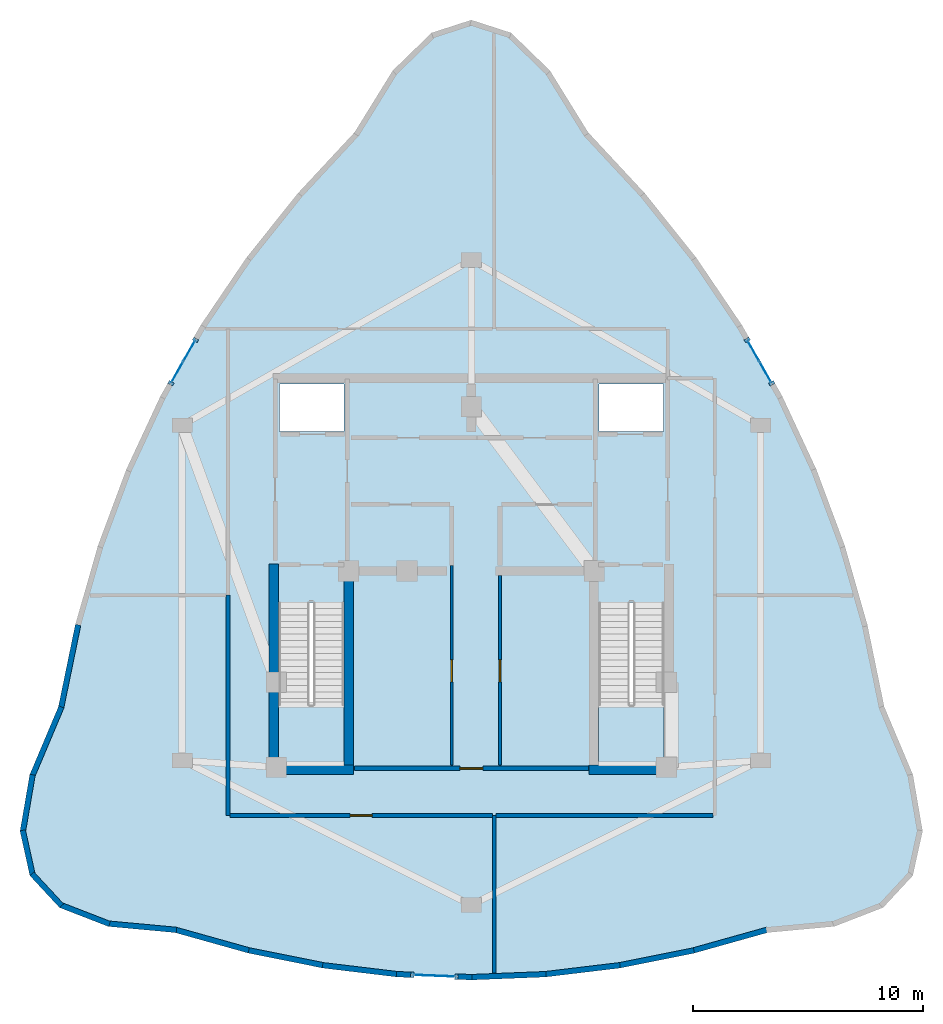
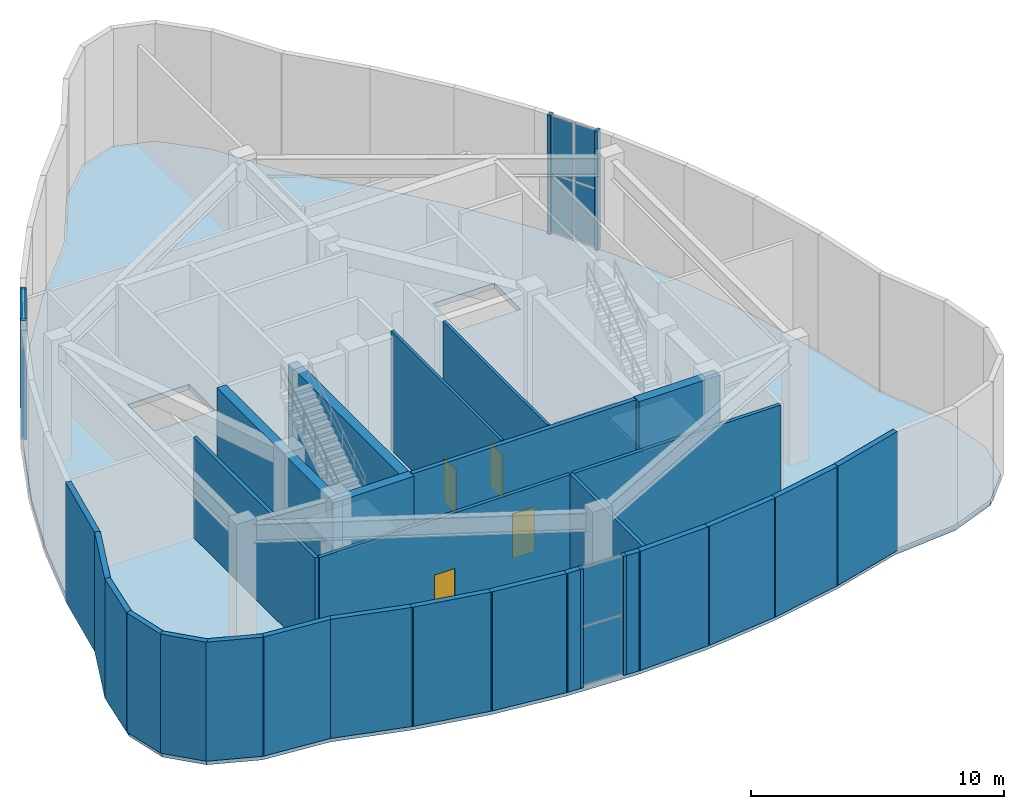
# One storey, part 7 of 10: 27 walls, 16 plates, 4 doors, 3 slabs, 4 openings, 5 elements without a shape of their own.
"""IFC4 building model written with IfcOpenShell, lengths in metres."""

from ifc_helpers import new_model, si_unit, direction, frame, frame_2d, origin, origin_2d, place, context, subcontext, project, spatial, polyline, rectangle, outline, extrude, material, layer, layer_set, type_object, element, fill, aggregate, save


model = new_model("IFC4")

# Units and contexts
model_context = context("Model", 3, precision=1e-05, world=origin(), true_north=direction((0.0, 1.0)))
body_context = subcontext(model_context, "Body", "Model", "MODEL_VIEW")
ifc_project = project(units=[si_unit("LENGTHUNIT", "METRE"), si_unit("AREAUNIT", "SQUARE_METRE"), si_unit("VOLUMEUNIT", "CUBIC_METRE"), si_unit("PLANEANGLEUNIT", "RADIAN"), si_unit("MASSUNIT", "GRAM", prefix="KILO")], contexts=[model_context])

# Site, building, storey
site_placement = place(None, origin())
site = spatial("IfcSite", under=ifc_project, at=site_placement, CompositionType="ELEMENT")
building_placement = place(site_placement, origin())
building = spatial("IfcBuilding", under=site, at=building_placement, Name="Miruveldt Soraemaru", CompositionType="ELEMENT")
storey_placement = place(building_placement, frame((0.0, 0.0, 306.800048828125)))
storey = spatial("IfcBuildingStorey", under=building, at=storey_placement, Name="L81", CompositionType="ELEMENT", Elevation=306.800048828125)

# Curtain wall, plates
ifc_material_1 = material(Name="Anodised aluminium EN AW-6063 T6", Category="aluminium")
ifc_layer_1 = layer(ifc_material_1, 0.14990234375, Name="Anodised aluminium EN AW-6063 T6", Category="aluminium")
ifc_layer_set_1 = layer_set([ifc_layer_1], Name="Anodised aluminium EN AW-6063 T6")
curtain_wall_type = type_object("IfcCurtainWallType", Name="CW-SYS-6", PredefinedType="USERDEFINED", material=ifc_layer_set_1)
curtain_wall_1_placement = place(storey_placement, origin())
curtain_wall_1 = element("IfcCurtainWall", 1, at=curtain_wall_1_placement, inside=storey, type_object=curtain_wall_type, Name="L81 Curtain Wall Bay 10", ObjectType="UNITISED GLAZING", PredefinedType="USERDEFINED")
ifc_material_2 = material(Name="Triple low-e insulated glazing", Category="glass")
ifc_layer_2 = layer(ifc_material_2, 0.02392578125, Name="Triple low-e insulated glazing", Category="glass")
ifc_layer_set_2 = layer_set([ifc_layer_2], Name="Triple low-e insulated glazing")
plate_type_1 = type_object("IfcPlateType", Name="CWP-6", PredefinedType="CURTAIN_PANEL", material=ifc_layer_set_2)
plate_1_placement = place(storey_placement, frame((31.70947265625, 53.63232421875, 0.054931640625), z_axis=(0.0, 0.0, 1.0), x_axis=(-0.493367166554, -0.869821153437, 0.0)))
plate_1 = element("IfcPlate", 2, at=plate_1_placement, type_object=plate_type_1, Name="CW-6 panel 1.1", PredefinedType="CURTAIN_PANEL", context=body_context, shape_type="SweptSolid", body=[
    extrude(rectangle(XDim=1.00244140625, YDim=0.02392578125, at=origin_2d()), origin(), (0.0, 0.0, 1.0), 2.78759765625),
])
plate_2_placement = place(storey_placement, frame((31.70947265625, 53.63232421875, 2.8974609375), z_axis=(0.0, 0.0, 1.0), x_axis=(-0.493367166554, -0.869821153437, 0.0)))
plate_2 = element("IfcPlate", 3, at=plate_2_placement, type_object=plate_type_1, Name="CW-6 panel 1.2", PredefinedType="CURTAIN_PANEL", context=body_context, shape_type="SweptSolid", body=[
    extrude(rectangle(XDim=1.00244140625, YDim=0.02392578125, at=origin_2d()), origin(), (0.0, 0.0, 1.0), 2.78759765625),
])
plate_3_placement = place(storey_placement, frame((31.187744140625, 52.712646484375, 0.054931640625), z_axis=(0.0, 0.0, 1.0), x_axis=(-0.493367166554, -0.869821153437, 0.0)))
plate_3 = element("IfcPlate", 4, at=plate_3_placement, type_object=plate_type_1, Name="CW-6 panel 2.1", PredefinedType="CURTAIN_PANEL", context=body_context, shape_type="SweptSolid", body=[
    extrude(rectangle(XDim=1.00244140625, YDim=0.02392578125, at=origin_2d()), origin(), (0.0, 0.0, 1.0), 2.78759765625),
])
plate_4_placement = place(storey_placement, frame((31.187744140625, 52.712646484375, 2.8974609375), z_axis=(0.0, 0.0, 1.0), x_axis=(-0.493367166554, -0.869821153437, 0.0)))
plate_4 = element("IfcPlate", 5, at=plate_4_placement, type_object=plate_type_1, Name="CW-6 panel 2.2", PredefinedType="CURTAIN_PANEL", context=body_context, shape_type="SweptSolid", body=[
    extrude(rectangle(XDim=1.00244140625, YDim=0.02392578125, at=origin_2d()), origin(), (0.0, 0.0, 1.0), 2.78759765625),
])
aggregate(curtain_wall_1, [plate_1, plate_2, plate_3, plate_4])

curtain_wall_2_placement = place(storey_placement, origin())
curtain_wall_2 = element("IfcCurtainWall", 6, at=curtain_wall_2_placement, inside=storey, type_object=curtain_wall_type, Name="L81 Curtain Wall Bay 24", ObjectType="UNITISED GLAZING", PredefinedType="USERDEFINED")
plate_5_placement = place(storey_placement, frame((42.389892578125, 26.41943359375, 0.054931640625), z_axis=(0.0, 0.0, 1.0), x_axis=(0.999202121324, -0.039938962692, 0.0)))
plate_5 = element("IfcPlate", 7, at=plate_5_placement, type_object=plate_type_1, Name="CW-6 panel 1.1", PredefinedType="CURTAIN_PANEL", context=body_context, shape_type="SweptSolid", body=[
    extrude(rectangle(XDim=1.81298828125, YDim=0.02392578125, at=origin_2d()), origin(), (0.0, 0.0, 1.0), 2.78759765625),
])
plate_6_placement = place(storey_placement, frame((42.389892578125, 26.41943359375, 2.8974609375), z_axis=(0.0, 0.0, 1.0), x_axis=(0.999202121324, -0.039938962692, 0.0)))
plate_6 = element("IfcPlate", 8, at=plate_6_placement, type_object=plate_type_1, Name="CW-6 panel 1.2", PredefinedType="CURTAIN_PANEL", context=body_context, shape_type="SweptSolid", body=[
    extrude(rectangle(XDim=1.81298828125, YDim=0.02392578125, at=origin_2d()), origin(), (0.0, 0.0, 1.0), 2.78759765625),
])
aggregate(curtain_wall_2, [plate_5, plate_6])

curtain_wall_3_placement = place(storey_placement, origin())
curtain_wall_3 = element("IfcCurtainWall", 9, at=curtain_wall_3_placement, inside=storey, type_object=curtain_wall_type, Name="L81 Curtain Wall Bay 39", ObjectType="UNITISED GLAZING", PredefinedType="USERDEFINED")
plate_7_placement = place(storey_placement, frame((56.812744140625, 52.7119140625, 0.054931640625), z_axis=(0.0, 0.0, 1.0), x_axis=(-0.493363512652, 0.869823225939, 0.0)))
plate_7 = element("IfcPlate", 10, at=plate_7_placement, type_object=plate_type_1, Name="CW-6 panel 1.1", PredefinedType="CURTAIN_PANEL", context=body_context, shape_type="SweptSolid", body=[
    extrude(rectangle(XDim=1.0029296875, YDim=0.02392578125, at=origin_2d()), origin(), (0.0, 0.0, 1.0), 2.78759765625),
])
plate_8_placement = place(storey_placement, frame((56.812744140625, 52.7119140625, 2.8974609375), z_axis=(0.0, 0.0, 1.0), x_axis=(-0.493363512652, 0.869823225939, 0.0)))
plate_8 = element("IfcPlate", 11, at=plate_8_placement, type_object=plate_type_1, Name="CW-6 panel 1.2", PredefinedType="CURTAIN_PANEL", context=body_context, shape_type="SweptSolid", body=[
    extrude(rectangle(XDim=1.0029296875, YDim=0.02392578125, at=origin_2d()), origin(), (0.0, 0.0, 1.0), 2.78759765625),
])
plate_9_placement = place(storey_placement, frame((56.290771484375, 53.63232421875, 0.054931640625), z_axis=(0.0, 0.0, 1.0), x_axis=(-0.493363512652, 0.869823225939, 0.0)))
plate_9 = element("IfcPlate", 12, at=plate_9_placement, type_object=plate_type_1, Name="CW-6 panel 2.1", PredefinedType="CURTAIN_PANEL", context=body_context, shape_type="SweptSolid", body=[
    extrude(rectangle(XDim=1.0029296875, YDim=0.02392578125, at=origin_2d()), origin(), (0.0, 0.0, 1.0), 2.78759765625),
])
plate_10_placement = place(storey_placement, frame((56.290771484375, 53.63232421875, 2.8974609375), z_axis=(0.0, 0.0, 1.0), x_axis=(-0.493363512652, 0.869823225939, 0.0)))
plate_10 = element("IfcPlate", 13, at=plate_10_placement, type_object=plate_type_1, Name="CW-6 panel 2.2", PredefinedType="CURTAIN_PANEL", context=body_context, shape_type="SweptSolid", body=[
    extrude(rectangle(XDim=1.0029296875, YDim=0.02392578125, at=origin_2d()), origin(), (0.0, 0.0, 1.0), 2.78759765625),
])
aggregate(curtain_wall_3, [plate_7, plate_8, plate_9, plate_10])

# Plates
ifc_layer_3 = layer(ifc_material_1, 0.030029296875, Name="Anodised aluminium EN AW-6063 T6", Category="aluminium")
ifc_layer_set_3 = layer_set([ifc_layer_3], Name="Anodised aluminium EN AW-6063 T6")
plate_type_2 = type_object("IfcPlateType", Name="PLT-JAMB-30", PredefinedType="SHEET", material=ifc_layer_set_3)
for number, where, z_axis, x_axis, name in (
    (14, (31.98388671875, 54.1162109375, 0.0), (0.0, 0.0, 1.0), (-0.493365087117, -0.869822332902, 0.0), "L81 Curtain Wall Jamb Closure Trim 10JL"),
    (15, (30.9130859375, 52.228759765625, 0.0), (0.0, 0.0, 1.0), (-0.493365087117, -0.869822332902, 0.0), "L81 Curtain Wall Jamb Closure Trim 10JR"),
    (16, (41.42919921875, 26.457763671875, 0.0), (0.0, 0.0, 1.0), (0.999201384215, -0.039957399602, 0.0), "L81 Curtain Wall Jamb Closure Trim 24JL"),
    (17, (43.3505859375, 26.381103515625, 0.0), (0.0, 0.0, 1.0), (0.999201384215, -0.039957399602, 0.0), "L81 Curtain Wall Jamb Closure Trim 24JR"),
    (18, (57.087158203125, 52.227783203125, 0.0), (0.0, 0.0, 1.0), (-0.493365087117, 0.869822332902, 0.0), "L81 Curtain Wall Jamb Closure Trim 39JL"),
    (19, (56.01611328125, 54.1162109375, 0.0), (0.0, 0.0, 1.0), (-0.493365087117, 0.869822332902, 0.0), "L81 Curtain Wall Jamb Closure Trim 39JR"),
):
    element("IfcPlate", number, at=place(storey_placement, frame(where, z_axis=z_axis, x_axis=x_axis)), inside=storey, type_object=plate_type_2, Name=name, PredefinedType="SHEET", context=body_context, shape_type="SweptSolid", body=[
        extrude(rectangle(XDim=0.139892578125, YDim=0.239990234375, at=origin_2d()), origin(), (0.0, 0.0, 1.0), 5.739990234375),
    ])

# Slab
ifc_material_3 = material(Name="Concrete C40/50 (40 MPa)", Category="concrete")
ifc_layer_4 = layer(ifc_material_3, 0.260009765625, Name="Concrete C40/50 (40 MPa)", Category="concrete")
ifc_layer_set_4 = layer_set([ifc_layer_4], Name="Concrete C40/50 (40 MPa)")
slab_type_1 = type_object("IfcSlabType", Name="SLAB-CRWN-260", PredefinedType="FLOOR", material=ifc_layer_set_4)
slab_1_placement = place(storey_placement, frame((0.0, 0.0, -0.260009765625)))
element("IfcSlab", 20, at=slab_1_placement, inside=storey, type_object=slab_type_1, Name="L81 Structural Floor Slab", PredefinedType="FLOOR", context=body_context, shape_type="SweptSolid", body=[
    extrude(outline(polyline([(51.4755859375, 60.413330078125), (53.71044921875, 57.61181640625), (55.695556640625, 54.681640625), (57.4306640625, 51.62255859375), (58.915771484375, 48.4345703125), (60.151123046875, 45.117919921875), (61.136474609375, 41.67236328125), (61.8720703125, 38.097900390625), (63.119873046875, 35.1396484375), (63.53564453125, 32.718994140625), (63.119873046875, 30.83642578125), (61.8720703125, 29.49169921875), (59.79248046875, 28.684814453125), (56.881103515625, 28.416015625), (53.660888671875, 27.514404296875), (50.4404296875, 26.870361328125), (47.22021484375, 26.48388671875), (44.0, 26.35498046875), (40.77978515625, 26.48388671875), (37.5595703125, 26.870361328125), (34.339111328125, 27.514404296875), (31.118896484375, 28.416015625), (28.20751953125, 28.684814453125), (26.1279296875, 29.49169921875), (24.880126953125, 30.83642578125), (24.46435546875, 32.718994140625), (24.880126953125, 35.1396484375), (26.1279296875, 38.097900390625), (26.863525390625, 41.67236328125), (27.848876953125, 45.117919921875), (29.084228515625, 48.4345703125), (30.5693359375, 51.62255859375), (32.304443359375, 54.681640625), (34.28955078125, 57.61181640625), (36.5244140625, 60.413330078125), (39.009033203125, 63.0859375), (40.672607421875, 65.775390625), (42.336181640625, 67.38916015625), (44.0, 67.927001953125), (45.663818359375, 67.38916015625), (47.327392578125, 65.775390625), (48.990966796875, 63.0859375), (51.4755859375, 60.413330078125)]), holes=[polyline([(38.43505859375, 35.6650390625), (38.43505859375, 42.68505859375), (35.614990234375, 42.68505859375), (35.614990234375, 35.6650390625), (38.43505859375, 35.6650390625)]), polyline([(52.385009765625, 35.6650390625), (52.385009765625, 42.68505859375), (49.56494140625, 42.68505859375), (49.56494140625, 35.6650390625), (52.385009765625, 35.6650390625)]), polyline([(38.445068359375, 52.205078125), (35.635009765625, 52.205078125), (35.635009765625, 50.135009765625), (38.445068359375, 50.135009765625), (38.445068359375, 52.205078125)]), polyline([(52.364990234375, 52.205078125), (49.554931640625, 52.205078125), (49.554931640625, 50.135009765625), (52.364990234375, 50.135009765625), (52.364990234375, 52.205078125)])]), origin(), (0.0, 0.0, 1.0), 0.260009765625),
])

# Stair, slab
stair_type = type_object("IfcStairType", Name="STAIR-DL-600", PredefinedType="HALF_TURN_STAIR", material=ifc_material_3)
stair_1_placement = place(storey_placement, origin())
stair_1 = element("IfcStair", 21, at=stair_1_placement, inside=storey, type_object=stair_type, Name="L81 Protected Exit Stair ST-1", PredefinedType="HALF_TURN_STAIR")
ifc_layer_5 = layer(ifc_material_3, 0.199951171875, Name="Concrete C40/50 (40 MPa)", Category="concrete")
ifc_layer_set_5 = layer_set([ifc_layer_5], Name="Concrete C40/50 (40 MPa)")
slab_type_2 = type_object("IfcSlabType", Name="SLAB-LAND-200", PredefinedType="LANDING", material=ifc_layer_set_5)
slab_2_placement = place(storey_placement, frame((0.0, 0.0, 2.800048828125)))
slab_2 = element("IfcSlab", 22, at=slab_2_placement, type_object=slab_type_2, Name="ST-1 landing 1", PredefinedType="LANDING", context=body_context, shape_type="SweptSolid", body=[
    extrude(outline(polyline([(35.60009765625, 38.238037109375), (35.60009765625, 35.64990234375), (38.449951171875, 35.64990234375), (38.449951171875, 38.238037109375), (35.60009765625, 38.238037109375)])), origin(), (0.0, 0.0, 1.0), 0.199951171875),
])
aggregate(stair_1, [slab_2])

stair_2_placement = place(storey_placement, origin())
stair_2 = element("IfcStair", 23, at=stair_2_placement, inside=storey, type_object=stair_type, Name="L81 Protected Exit Stair ST-2", PredefinedType="HALF_TURN_STAIR")
slab_3_placement = place(storey_placement, frame((0.0, 0.0, 2.800048828125)))
slab_3 = element("IfcSlab", 24, at=slab_3_placement, type_object=slab_type_2, Name="ST-2 landing 1", PredefinedType="LANDING", context=body_context, shape_type="SweptSolid", body=[
    extrude(outline(polyline([(49.550048828125, 38.238037109375), (49.550048828125, 35.64990234375), (52.39990234375, 35.64990234375), (52.39990234375, 38.238037109375), (49.550048828125, 38.238037109375)])), origin(), (0.0, 0.0, 1.0), 0.199951171875),
])
aggregate(stair_2, [slab_3])

# Walls
ifc_material_4 = material(Name="Concrete C50/60 (50 MPa)", Category="concrete")
ifc_layer_6 = layer(ifc_material_4, 0.419921875, Name="Concrete C50/60 (50 MPa)", Category="concrete")
ifc_layer_set_6 = layer_set([ifc_layer_6], Name="Concrete C50/60 (50 MPa)")
wall_type_1 = type_object("IfcWallType", Name="WALL-CW-420", PredefinedType="SHEAR", material=ifc_layer_set_6)
for number, where, z_axis, x_axis, name in (
    (25, (35.179931640625, 35.389892578125, 0.0), (0.0, 0.0, 1.0), (1.0, 0.0, 0.0), "L81 Central Core Shear Wall S1"),
    (26, (49.1298828125, 35.389892578125, 0.0), (0.0, 0.0, 1.0), (1.0, 0.0, 0.0), "L81 Central Core Shear Wall S2"),
):
    element("IfcWall", number, at=place(storey_placement, frame(where, z_axis=z_axis, x_axis=x_axis)), inside=storey, type_object=wall_type_1, Name=name, PredefinedType="SHEAR", context=body_context, shape_type="SweptSolid", body=[
        extrude(rectangle(XDim=3.690185546875, YDim=0.419921875, at=frame_2d((1.84521484375, 0.0))), origin(), (0.0, 0.0, 1.0), 5.739990234375),
    ])
wall_1_placement = place(storey_placement, frame((35.389892578125, 35.179931640625, 0.0), z_axis=(0.0, 0.0, 1.0), x_axis=(0.0, 1.0, 0.0)))
element("IfcWall", 27, at=wall_1_placement, inside=storey, type_object=wall_type_1, Name="L81 Central Core Shear Wall W1", PredefinedType="SHEAR", context=body_context, shape_type="SweptSolid", body=[
    extrude(rectangle(XDim=9.170166015625, YDim=0.419921875, at=frame_2d((4.5849609375, 0.0))), origin(), (0.0, 0.0, 1.0), 5.739990234375),
])
wall_2_placement = place(storey_placement, frame((38.659912109375, 35.39990234375, 0.0), z_axis=(0.0, 0.0, 1.0), x_axis=(0.0, 1.0, 0.0)))
element("IfcWall", 28, at=wall_2_placement, inside=storey, type_object=wall_type_1, Name="L81 Central Core Shear Wall SW-INT", PredefinedType="SHEAR", context=body_context, shape_type="SweptSolid", body=[
    extrude(rectangle(XDim=8.9501953125, YDim=0.419921875, at=frame_2d((4.47509765625, 0.0))), origin(), (0.0, 0.0, 1.0), 5.739990234375),
])
ifc_material_5 = material(Name="Precast concrete C45/55 (45 MPa)", Category="concrete")
ifc_layer_7 = layer(ifc_material_5, 0.239990234375, Name="Precast concrete C45/55 (45 MPa)", Category="concrete")
ifc_layer_set_7 = layer_set([ifc_layer_7], Name="Precast concrete C45/55 (45 MPa)")
wall_type_2 = type_object("IfcWallType", Name="WALL-EXT-PC240", PredefinedType="SOLIDWALL", material=ifc_layer_set_7)
wall_3_placement = place(storey_placement, frame((26.87060546875, 41.706787109375, 0.0), z_axis=(0.0, 0.0, 1.0), x_axis=(-0.201578837363, -0.979472292782, 0.0)))
element("IfcWall", 29, at=wall_3_placement, inside=storey, type_object=wall_type_2, Name="L81 Precast Concrete Facade Wall 14", PredefinedType="SOLIDWALL", context=body_context, shape_type="SweptSolid", body=[
    extrude(rectangle(XDim=3.719482421875, YDim=0.239990234375, at=frame_2d((1.85986328125, 0.0))), origin(), (0.0, 0.0, 1.0), 5.739990234375),
])
wall_4_placement = place(storey_placement, frame((26.1416015625, 38.130126953125, 0.0), z_axis=(0.0, 0.0, 1.0), x_axis=(-0.388622520849, -0.921397056805, 0.0)))
element("IfcWall", 30, at=wall_4_placement, inside=storey, type_object=wall_type_2, Name="L81 Precast Concrete Facade Wall 15", PredefinedType="SOLIDWALL", context=body_context, shape_type="SweptSolid", body=[
    extrude(rectangle(XDim=3.280517578125, YDim=0.239990234375, at=frame_2d((1.64013671875, 0.0))), origin(), (0.0, 0.0, 1.0), 5.739990234375),
])
wall_5_placement = place(storey_placement, frame((24.885986328125, 35.174072265625, 0.0), z_axis=(0.0, 0.0, 1.0), x_axis=(-0.169240125324, -0.985574847477, 0.0)))
element("IfcWall", 31, at=wall_5_placement, inside=storey, type_object=wall_type_2, Name="L81 Precast Concrete Facade Wall 16", PredefinedType="SOLIDWALL", context=body_context, shape_type="SweptSolid", body=[
    extrude(rectangle(XDim=2.52587890625, YDim=0.239990234375, at=frame_2d((1.262939453125, 0.0))), origin(), (0.0, 0.0, 1.0), 5.739990234375),
])
wall_6_placement = place(storey_placement, frame((24.456787109375, 32.75341796875, 0.0), z_axis=(0.0, 0.0, 1.0), x_axis=(0.215649526387, -0.976470829963, 0.0)))
element("IfcWall", 32, at=wall_6_placement, inside=storey, type_object=wall_type_2, Name="L81 Precast Concrete Facade Wall 17", PredefinedType="SOLIDWALL", context=body_context, shape_type="SweptSolid", body=[
    extrude(rectangle(XDim=1.998291015625, YDim=0.239990234375, at=frame_2d((0.9990234375, 0.0))), origin(), (0.0, 0.0, 1.0), 5.739990234375),
])
wall_7_placement = place(storey_placement, frame((24.8564453125, 30.8623046875, 0.0), z_axis=(0.0, 0.0, 1.0), x_axis=(0.680072395428, -0.733144963139, 0.0)))
element("IfcWall", 33, at=wall_7_placement, inside=storey, type_object=wall_type_2, Name="L81 Precast Concrete Facade Wall 18", PredefinedType="SOLIDWALL", context=body_context, shape_type="SweptSolid", body=[
    extrude(rectangle(XDim=1.904541015625, YDim=0.239990234375, at=frame_2d((0.9521484375, 0.0))), origin(), (0.0, 0.0, 1.0), 5.739990234375),
])
wall_8_placement = place(storey_placement, frame((26.09521484375, 29.50439453125, 0.0), z_axis=(0.0, 0.0, 1.0), x_axis=(0.932269297358, -0.361765058019, 0.0)))
element("IfcWall", 34, at=wall_8_placement, inside=storey, type_object=wall_type_2, Name="L81 Precast Concrete Facade Wall 19", PredefinedType="SOLIDWALL", context=body_context, shape_type="SweptSolid", body=[
    extrude(rectangle(XDim=2.300537109375, YDim=0.239990234375, at=frame_2d((1.150390625, 0.0))), origin(), (0.0, 0.0, 1.0), 5.739990234375),
])
wall_9_placement = place(storey_placement, frame((28.172607421875, 28.68798828125, 0.0), z_axis=(0.0, 0.0, 1.0), x_axis=(0.995767942029, -0.091903240575, 0.0)))
element("IfcWall", 35, at=wall_9_placement, inside=storey, type_object=wall_type_2, Name="L81 Precast Concrete Facade Wall 20", PredefinedType="SOLIDWALL", context=body_context, shape_type="SweptSolid", body=[
    extrude(rectangle(XDim=2.993896484375, YDim=0.239990234375, at=frame_2d((1.4970703125, 0.0))), origin(), (0.0, 0.0, 1.0), 5.739990234375),
])
wall_10_placement = place(storey_placement, frame((31.085205078125, 28.42529296875, 0.0), z_axis=(0.0, 0.0, 1.0), x_axis=(0.962972931592, -0.269598095359, 0.0)))
element("IfcWall", 36, at=wall_10_placement, inside=storey, type_object=wall_type_2, Name="L81 Precast Concrete Facade Wall 21", PredefinedType="SOLIDWALL", context=body_context, shape_type="SweptSolid", body=[
    extrude(rectangle(XDim=3.4140625, YDim=0.239990234375, at=frame_2d((1.70703125, 0.0))), origin(), (0.0, 0.0, 1.0), 5.739990234375),
])
wall_11_placement = place(storey_placement, frame((34.304931640625, 27.521240234375, 0.0), z_axis=(0.0, 0.0, 1.0), x_axis=(0.980569475455, -0.196172128005, 0.0)))
element("IfcWall", 37, at=wall_11_placement, inside=storey, type_object=wall_type_2, Name="L81 Precast Concrete Facade Wall 22", PredefinedType="SOLIDWALL", context=body_context, shape_type="SweptSolid", body=[
    extrude(rectangle(XDim=3.35400390625, YDim=0.239990234375, at=frame_2d((1.677001953125, 0.0))), origin(), (0.0, 0.0, 1.0), 5.739990234375),
])
wall_12_placement = place(storey_placement, frame((37.524658203125, 26.87451171875, 0.0), z_axis=(0.0, 0.0, 1.0), x_axis=(0.992868119477, -0.119217856572, 0.0)))
element("IfcWall", 38, at=wall_12_placement, inside=storey, type_object=wall_type_2, Name="L81 Precast Concrete Facade Wall 23", PredefinedType="SOLIDWALL", context=body_context, shape_type="SweptSolid", body=[
    extrude(rectangle(XDim=3.3134765625, YDim=0.239990234375, at=frame_2d((1.65673828125, 0.0))), origin(), (0.0, 0.0, 1.0), 5.739990234375),
])
wall_13_placement = place(storey_placement, frame((40.74462890625, 26.485107421875, 0.0), z_axis=(0.0, 0.0, 1.0), x_axis=(0.999207030982, -0.039815941983, 0.0)))
element("IfcWall", 39, at=wall_13_placement, inside=storey, type_object=wall_type_2, Name="L81 Precast Pier Left 24", PredefinedType="SOLIDWALL", context=body_context, shape_type="SweptSolid", body=[
    extrude(rectangle(XDim=0.705078125, YDim=0.239990234375, at=frame_2d((0.3525390625, 0.0))), origin(), (0.0, 0.0, 1.0), 5.739990234375),
])
wall_14_placement = place(storey_placement, frame((43.330810546875, 26.3818359375, 0.0), z_axis=(0.0, 0.0, 1.0), x_axis=(0.999192078977, -0.040189417878, 0.0)))
element("IfcWall", 40, at=wall_14_placement, inside=storey, type_object=wall_type_2, Name="L81 Precast Pier Right 24", PredefinedType="SOLIDWALL", context=body_context, shape_type="SweptSolid", body=[
    extrude(rectangle(XDim=0.70458984375, YDim=0.239990234375, at=frame_2d((0.352294921875, 0.0))), origin(), (0.0, 0.0, 1.0), 5.739990234375),
])
wall_15_placement = place(storey_placement, frame((43.965087890625, 26.353515625, 0.0), z_axis=(0.0, 0.0, 1.0), x_axis=(0.999201195577, 0.039962116526, 0.0)))
element("IfcWall", 41, at=wall_15_placement, inside=storey, type_object=wall_type_2, Name="L81 Precast Concrete Facade Wall 25", PredefinedType="SOLIDWALL", context=body_context, shape_type="SweptSolid", body=[
    extrude(rectangle(XDim=3.29296875, YDim=0.239990234375, at=frame_2d((1.646484375, 0.0))), origin(), (0.0, 0.0, 1.0), 5.739990234375),
])
wall_16_placement = place(storey_placement, frame((47.185546875, 26.4794921875, 0.0), z_axis=(0.0, 0.0, 1.0), x_axis=(0.992868119477, 0.119217856572, 0.0)))
element("IfcWall", 42, at=wall_16_placement, inside=storey, type_object=wall_type_2, Name="L81 Precast Concrete Facade Wall 26", PredefinedType="SOLIDWALL", context=body_context, shape_type="SweptSolid", body=[
    extrude(rectangle(XDim=3.3134765625, YDim=0.239990234375, at=frame_2d((1.65673828125, 0.0))), origin(), (0.0, 0.0, 1.0), 5.739990234375),
])
wall_17_placement = place(storey_placement, frame((50.40625, 26.86328125, 0.0), z_axis=(0.0, 0.0, 1.0), x_axis=(0.980569475455, 0.196172128005, 0.0)))
element("IfcWall", 43, at=wall_17_placement, inside=storey, type_object=wall_type_2, Name="L81 Precast Concrete Facade Wall 27", PredefinedType="SOLIDWALL", context=body_context, shape_type="SweptSolid", body=[
    extrude(rectangle(XDim=3.35400390625, YDim=0.239990234375, at=frame_2d((1.677001953125, 0.0))), origin(), (0.0, 0.0, 1.0), 5.739990234375),
])
wall_18_placement = place(storey_placement, frame((53.627197265625, 27.5048828125, 0.0), z_axis=(0.0, 0.0, 1.0), x_axis=(0.962972931592, 0.269598095359, 0.0)))
element("IfcWall", 44, at=wall_18_placement, inside=storey, type_object=wall_type_2, Name="L81 Precast Concrete Facade Wall 28", PredefinedType="SOLIDWALL", context=body_context, shape_type="SweptSolid", body=[
    extrude(rectangle(XDim=3.4140625, YDim=0.239990234375, at=frame_2d((1.70703125, 0.0))), origin(), (0.0, 0.0, 1.0), 5.739990234375),
])

# Wall, opening, door
ifc_material_6 = material(Name="Gypsum plasterboard lining", Category="gypsum")
ifc_layer_8 = layer(ifc_material_6, 0.1201171875, Name="Gypsum plasterboard lining", Category="gypsum")
ifc_layer_set_8 = layer_set([ifc_layer_8], Name="Gypsum plasterboard lining")
wall_type_3 = type_object("IfcWallType", Name="WALL-INT-P120", PredefinedType="PARTITIONING", material=ifc_layer_set_8)
wall_19_placement = place(storey_placement, frame((43.14990234375, 35.60009765625, 0.0), z_axis=(0.0, 0.0, 1.0), x_axis=(0.0, 1.0, 0.0)))
wall_19 = element("IfcWall", 45, at=wall_19_placement, inside=storey, type_object=wall_type_3, Name="L81 Core Compartment Wall SP-WL", PredefinedType="PARTITIONING", context=body_context, shape_type="SweptSolid", body=[
    extrude(rectangle(XDim=8.699951171875, YDim=0.1201171875, at=frame_2d((4.35009765625, 0.0))), origin(), (0.0, 0.0, 1.0), 5.739990234375),
])
opening_1_placement = place(wall_19_placement, frame((3.625, 0.0, 0.0)))
opening_1 = element("IfcOpeningElement", 46, at=opening_1_placement, cuts=wall_19, Name="Opening D2", PredefinedType="OPENING", context=body_context, shape_type="SweptSolid", body=[
    extrude(rectangle(XDim=0.949951171875, YDim=2.10009765625, at=frame_2d((0.47509765625, 1.050048828125))), frame((0.0, 0.070068359375, 0.0), z_axis=(0.0, -1.0, 0.0), x_axis=(1.0, 0.0, 0.0)), (0.0, 0.0, 1.0), 0.14013671875),
])
door_type_1 = type_object("IfcDoorType", Name="DOOR-INT-950", OperationType="NOTDEFINED", PredefinedType="DOOR", material=ifc_material_1)
door_1_placement = place(opening_1_placement, origin())
door_1 = element("IfcDoor", 47, at=door_1_placement, inside=storey, type_object=door_type_1, Name="L81 Fire Door", OperationType="SINGLE_SWING_LEFT", OverallHeight=2.10009765625, OverallWidth=0.949951171875, PredefinedType="DOOR", context=body_context, shape_type="SweptSolid", body=[
    extrude(rectangle(XDim=0.949951171875, YDim=2.10009765625, at=frame_2d((0.47509765625, 1.050048828125))), frame((0.0, 0.02490234375, 0.0), z_axis=(0.0, -1.0, 0.0), x_axis=(1.0, 0.0, 0.0)), (0.0, 0.0, 1.0), 0.050048828125),
])
fill(opening_1, door_1)

wall_20_placement = place(storey_placement, frame((45.25, 35.60009765625, 0.0), z_axis=(0.0, 0.0, 1.0), x_axis=(0.0, 1.0, 0.0)))
wall_20 = element("IfcWall", 48, at=wall_20_placement, inside=storey, type_object=wall_type_3, Name="L81 Core Compartment Wall SP-EL", PredefinedType="PARTITIONING", context=body_context, shape_type="SweptSolid", body=[
    extrude(rectangle(XDim=8.25, YDim=0.1201171875, at=frame_2d((4.125, 0.0))), origin(), (0.0, 0.0, 1.0), 5.739990234375),
])
opening_2_placement = place(wall_20_placement, frame((3.625, 0.0, 0.0)))
opening_2 = element("IfcOpeningElement", 49, at=opening_2_placement, cuts=wall_20, Name="Opening D2", PredefinedType="OPENING", context=body_context, shape_type="SweptSolid", body=[
    extrude(rectangle(XDim=0.949951171875, YDim=2.10009765625, at=frame_2d((0.47509765625, 1.050048828125))), frame((0.0, 0.070068359375, 0.0), z_axis=(0.0, -1.0, 0.0), x_axis=(1.0, 0.0, 0.0)), (0.0, 0.0, 1.0), 0.14013671875),
])
door_2_placement = place(opening_2_placement, origin())
door_2 = element("IfcDoor", 50, at=door_2_placement, inside=storey, type_object=door_type_1, Name="L81 Fire Door", OperationType="SINGLE_SWING_LEFT", OverallHeight=2.10009765625, OverallWidth=0.949951171875, PredefinedType="DOOR", context=body_context, shape_type="SweptSolid", body=[
    extrude(rectangle(XDim=0.949951171875, YDim=2.10009765625, at=frame_2d((0.47509765625, 1.050048828125))), frame((0.0, 0.02490234375, 0.0), z_axis=(0.0, -1.0, 0.0), x_axis=(1.0, 0.0, 0.0)), (0.0, 0.0, 1.0), 0.050048828125),
])
fill(opening_2, door_2)

ifc_layer_9 = layer(ifc_material_3, 0.159912109375, Name="Concrete C40/50 (40 MPa)", Category="concrete")
ifc_layer_set_9 = layer_set([ifc_layer_9], Name="Concrete C40/50 (40 MPa)")
wall_type_4 = type_object("IfcWallType", Name="WALL-INT-RC160", PredefinedType="SOLIDWALL", material=ifc_layer_set_9)
wall_21_placement = place(storey_placement, frame((33.47998046875, 33.39990234375, 0.0), z_axis=(0.0, 0.0, 1.0), x_axis=(1.0, 0.0, 0.0)))
wall_21 = element("IfcWall", 51, at=wall_21_placement, inside=storey, type_object=wall_type_4, Name="L81 Partition Wall 2", PredefinedType="SOLIDWALL", context=body_context, shape_type="SweptSolid", body=[
    extrude(rectangle(XDim=11.43994140625, YDim=0.159912109375, at=frame_2d((5.719970703125, 0.0))), origin(), (0.0, 0.0, 1.0), 4.827880859375),
])
opening_3_placement = place(wall_21_placement, frame((5.2451171875, 0.0, 0.0)))
opening_3 = element("IfcOpeningElement", 52, at=opening_3_placement, cuts=wall_21, Name="Opening FD2", PredefinedType="OPENING", context=body_context, shape_type="SweptSolid", body=[
    extrude(rectangle(XDim=0.949951171875, YDim=2.14990234375, at=frame_2d((0.47509765625, 1.074951171875))), frame((0.0, 0.08984375, 0.0), z_axis=(0.0, -1.0, 0.0), x_axis=(1.0, 0.0, 0.0)), (0.0, 0.0, 1.0), 0.179931640625),
])
door_type_2 = type_object("IfcDoorType", Name="DOOR-FD2-950", OperationType="NOTDEFINED", PredefinedType="DOOR", material=ifc_material_1)
door_3_placement = place(opening_3_placement, origin())
door_3 = element("IfcDoor", 53, at=door_3_placement, inside=storey, type_object=door_type_2, Name="L81 L81 Crown Chiller Plant Room Fire Door", OperationType="SINGLE_SWING_RIGHT", OverallHeight=2.14990234375, OverallWidth=0.949951171875, PredefinedType="DOOR", context=body_context, shape_type="SweptSolid", body=[
    extrude(rectangle(XDim=0.949951171875, YDim=2.14990234375, at=frame_2d((0.47509765625, 1.074951171875))), frame((0.0, 0.02490234375, 0.0), z_axis=(0.0, -1.0, 0.0), x_axis=(1.0, 0.0, 0.0)), (0.0, 0.0, 1.0), 0.050048828125),
])
fill(opening_3, door_3)

# Walls
wall_22_placement = place(storey_placement, frame((33.39990234375, 43.0, 0.0), z_axis=(0.0, 0.0, 1.0), x_axis=(0.0, -1.0, 0.0)))
element("IfcWall", 54, at=wall_22_placement, inside=storey, type_object=wall_type_4, Name="L81 Partition Wall 1", PredefinedType="SOLIDWALL", context=body_context, shape_type="SweptSolid", body=[
    extrude(rectangle(XDim=9.60009765625, YDim=0.159912109375, at=frame_2d((4.800048828125, 0.0))), origin(), (0.0, 0.0, 1.0), 4.827880859375),
])
wall_23_placement = place(storey_placement, frame((45.080078125, 33.39990234375, 0.0), z_axis=(0.0, 0.0, 1.0), x_axis=(1.0, 0.0, 0.0)))
element("IfcWall", 55, at=wall_23_placement, inside=storey, type_object=wall_type_4, Name="L81 Partition Wall 3", PredefinedType="SOLIDWALL", context=body_context, shape_type="SweptSolid", body=[
    extrude(rectangle(XDim=9.43994140625, YDim=0.159912109375, at=frame_2d((4.719970703125, 0.0))), origin(), (0.0, 0.0, 1.0), 4.827880859375),
])
wall_24_placement = place(storey_placement, frame((44.998046875, 26.530029296875, 0.0), z_axis=(0.0, 0.0, 1.0), x_axis=(0.000284302913, 0.999999959586, 0.0)))
element("IfcWall", 56, at=wall_24_placement, inside=storey, type_object=wall_type_4, Name="L81 Partition Wall 11", PredefinedType="SOLIDWALL", context=body_context, shape_type="SweptSolid", body=[
    extrude(rectangle(XDim=6.869873046875, YDim=0.159912109375, at=frame_2d((3.43505859375, 0.0))), origin(), (0.0, 0.0, 1.0), 4.827880859375),
])

# Wall, opening, door
ifc_layer_10 = layer(ifc_material_3, 0.199951171875, Name="Concrete C40/50 (40 MPa)", Category="concrete")
ifc_layer_set_10 = layer_set([ifc_layer_10], Name="Concrete C40/50 (40 MPa)")
wall_type_5 = type_object("IfcWallType", Name="WALL-INT-RC200", PredefinedType="SOLIDWALL", material=ifc_layer_set_10)
wall_25_placement = place(storey_placement, frame((38.89990234375, 35.449951171875, 0.0), z_axis=(0.0, 0.0, 1.0), x_axis=(1.0, 0.0, 0.0)))
wall_25 = element("IfcWall", 57, at=wall_25_placement, inside=storey, type_object=wall_type_5, Name="L81 Core Compartment Wall CS-S", PredefinedType="SOLIDWALL", context=body_context, shape_type="SweptSolid", body=[
    extrude(rectangle(XDim=10.2001953125, YDim=0.199951171875, at=frame_2d((5.10009765625, 0.0))), origin(), (0.0, 0.0, 1.0), 5.739990234375),
])
opening_4_placement = place(wall_25_placement, frame((4.60009765625, 0.0, 0.0)))
opening_4 = element("IfcOpeningElement", 58, at=opening_4_placement, cuts=wall_25, Name="Opening FD1", PredefinedType="OPENING", context=body_context, shape_type="SweptSolid", body=[
    extrude(rectangle(XDim=1.0, YDim=2.14990234375, at=frame_2d((0.5, 1.074951171875))), frame((0.0, 0.10986328125, 0.0), z_axis=(0.0, -1.0, 0.0), x_axis=(1.0, 0.0, 0.0)), (0.0, 0.0, 1.0), 0.219970703125),
])
door_type_3 = type_object("IfcDoorType", Name="DOOR-FD1-1000", OperationType="NOTDEFINED", PredefinedType="DOOR", material=ifc_material_1)
door_4_placement = place(opening_4_placement, origin())
door_4 = element("IfcDoor", 59, at=door_4_placement, inside=storey, type_object=door_type_3, Name="L81 Core South Lobby Fire Door", OperationType="SINGLE_SWING_LEFT", OverallHeight=2.14990234375, OverallWidth=1.0, PredefinedType="DOOR", context=body_context, shape_type="SweptSolid", body=[
    extrude(rectangle(XDim=1.0, YDim=2.14990234375, at=frame_2d((0.5, 1.074951171875))), frame((0.0, 0.02490234375, 0.0), z_axis=(0.0, -1.0, 0.0), x_axis=(1.0, 0.0, 0.0)), (0.0, 0.0, 1.0), 0.050048828125),
])
fill(opening_4, door_4)

save(model, "model.ifc")
